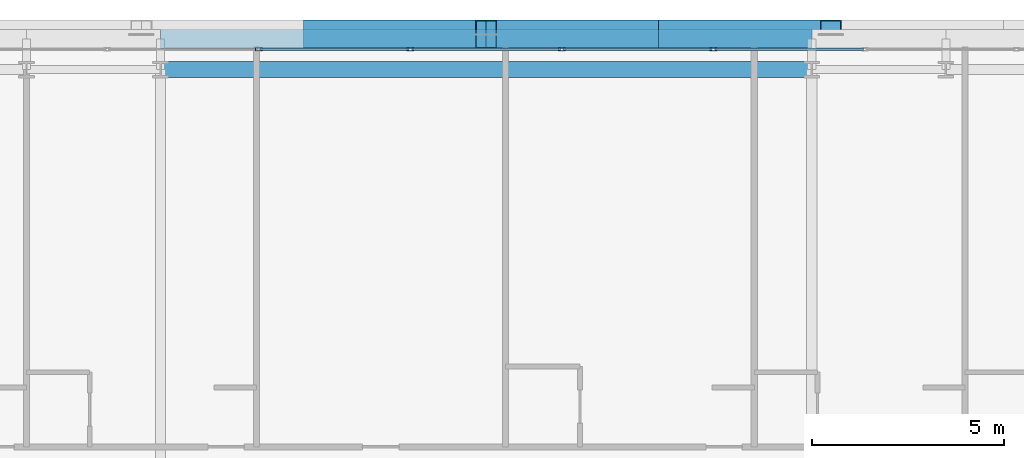
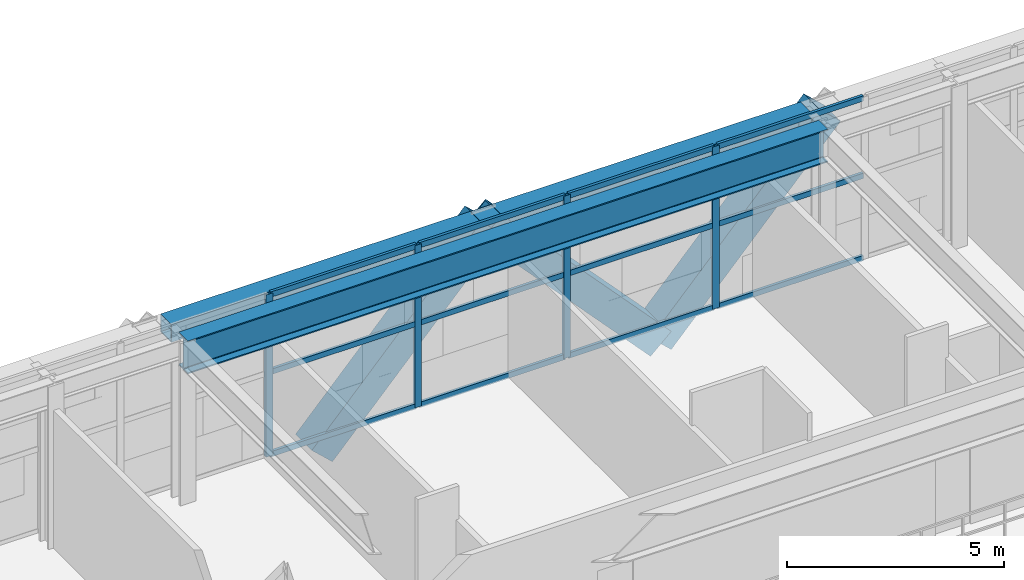
# One storey, part 21 of 38: 19 members, 2 beams, 1 element without a shape of its own.
"""IFC4 building model written with IfcOpenShell, lengths in metres."""

import ifcopenshell
import ifcopenshell.guid

model = None  # the IFC model being written
_history = None  # IfcOwnerHistory: only IFC2X3 demands one
_inside = {}  # id of a spatial element -> (the spatial element, [elements in it])
_under = {}  # id of a project, library or spatial element -> (it, [spatial elements below it])
_declared = {}  # id of a project -> (the project, [libraries it declares])
_typed = {}  # id of a type object -> (the type object, [elements of that type])
_made_of = {}  # id of a material, layer set ... -> (it, [elements and type objects made of it])


def new_model(schema):
    """Start an empty IFC model of exactly this schema.

    Asked for "IFC4X3", IfcOpenShell would pick the latest addendum, in which some entities
    have other attributes; the version numbers below select the first issue.
    IFC2X3 requires an IfcOwnerHistory on every rooted entity: one is made here for all.
    """
    global model, _history
    if schema == "IFC4X3":
        model = ifcopenshell.file(schema_version=(4, 3, 0, 0))
    else:
        model = ifcopenshell.file(schema=schema)
    _inside.clear()
    _under.clear()
    _declared.clear()
    _typed.clear()
    _made_of.clear()
    _history = None
    if model.schema == "IFC2X3":
        org = make("IfcOrganization", Name="unknown")
        user = make(
            "IfcPersonAndOrganization",
            ThePerson=make("IfcPerson", FamilyName="unknown"),
            TheOrganization=org,
        )
        app = make(
            "IfcApplication",
            ApplicationDeveloper=org,
            Version="unknown",
            ApplicationFullName="unknown",
            ApplicationIdentifier="unknown",
        )
        _history = make(
            "IfcOwnerHistory",
            OwningUser=user,
            OwningApplication=app,
            ChangeAction="ADDED",
            CreationDate=0,
        )
    return model


def make(cls, **values):
    """One entity of the class cls with the attributes given. An attribute that is None is left unset."""
    return model.create_entity(
        cls, **{name: value for name, value in values.items() if value is not None}
    )


def rooted(cls, **values):
    """An entity with a GlobalId (a new one), such as an element, a storey or a relation."""
    return make(cls, GlobalId=ifcopenshell.guid.new(), OwnerHistory=_history, **values)


def si_unit(unit_type, name, prefix=None):
    """IfcSIUnit, for example si_unit("LENGTHUNIT", "METRE", prefix="MILLI")."""
    return make("IfcSIUnit", UnitType=unit_type, Prefix=prefix, Name=name)


def assignment(units):
    """IfcUnitAssignment: the units of a project."""
    return None if units is None else make("IfcUnitAssignment", Units=units)


def point(xyz):
    """IfcCartesianPoint."""
    return None if xyz is None else make("IfcCartesianPoint", Coordinates=xyz)


def direction(xyz):
    """IfcDirection."""
    return None if xyz is None else make("IfcDirection", DirectionRatios=xyz)


def frame(location, z_axis=None, x_axis=None):
    """IfcAxis2Placement3D, a coordinate frame: its origin and axes. An axis left out is left unset."""
    return make(
        "IfcAxis2Placement3D",
        Location=point(location),
        Axis=direction(z_axis),
        RefDirection=direction(x_axis),
    )


def frame_2d(location, x_axis=None):
    """IfcAxis2Placement2D, a coordinate frame in the plane: its origin and x axis."""
    return make(
        "IfcAxis2Placement2D", Location=point(location), RefDirection=direction(x_axis)
    )


def origin():
    """The frame at (0, 0, 0) with its axes left unset."""
    return frame((0.0, 0.0, 0.0))


def origin_2d():
    """The frame at (0, 0) in the plane with its x axis left unset."""
    return frame_2d((0.0, 0.0))


def place(relative_to, where):
    """IfcLocalPlacement: puts the frame where relative to a parent placement (None: the world)."""
    return make(
        "IfcLocalPlacement", PlacementRelTo=relative_to, RelativePlacement=where
    )


def context(
    kind, dimensions, precision=None, world=None, true_north=None, identifier=None
):
    """IfcGeometricRepresentationContext, for example the 3D "Model" context."""
    return make(
        "IfcGeometricRepresentationContext",
        ContextIdentifier=identifier,
        ContextType=kind,
        CoordinateSpaceDimension=dimensions,
        Precision=precision,
        WorldCoordinateSystem=world,
        TrueNorth=true_north,
    )


def subcontext(parent, identifier, kind, view, scale=None):
    """IfcGeometricRepresentationSubContext, for example "Body" below "Model"."""
    return make(
        "IfcGeometricRepresentationSubContext",
        ContextIdentifier=identifier,
        ContextType=kind,
        ParentContext=parent,
        TargetScale=scale,
        TargetView=view,
    )


def project(units=None, contexts=None):
    """IfcProject with its units and contexts."""
    return rooted(
        "IfcProject",
        Name="project",
        RepresentationContexts=contexts,
        UnitsInContext=assignment(units),
    )


def spatial(cls, under=None, at=None, **own):
    """A site, building, storey or space (cls), placed at a placement, below another one or the project."""
    s = rooted(cls, ObjectPlacement=at, **own)
    if under is not None:
        _under.setdefault(under.id(), (under, []))[1].append(s)
    return s


def profile(cls, at=None, kind="AREA", **sizes):
    """A parametric profile (cls). Its sizes go by their IFC names, for example OverallWidth=200.0."""
    return make(cls, ProfileType=kind, Position=at, **sizes)


def hollow_rectangle(**sizes):
    """IfcRectangleHollowProfileDef."""
    return profile("IfcRectangleHollowProfileDef", **sizes)


def i_section(**sizes):
    """IfcIShapeProfileDef."""
    return profile("IfcIShapeProfileDef", **sizes)


def extrude(swept, where, along, depth):
    """IfcExtrudedAreaSolid: the profile swept, set in the frame where, extruded along a direction by depth."""
    return make(
        "IfcExtrudedAreaSolid",
        SweptArea=swept,
        Position=where,
        ExtrudedDirection=direction(along),
        Depth=depth,
    )


def shape(context_of_items, identifier, shape_type, items):
    """IfcShapeRepresentation: the items that make up one representation, for example the "Body"."""
    return make(
        "IfcShapeRepresentation",
        ContextOfItems=context_of_items,
        RepresentationIdentifier=identifier,
        RepresentationType=shape_type,
        Items=items,
    )


def source(mapping_origin, context_of_items, identifier, shape_type, items):
    """IfcRepresentationMap: a shape defined once, which mapped items show again and again."""
    return make(
        "IfcRepresentationMap",
        MappingOrigin=mapping_origin,
        MappedRepresentation=shape(context_of_items, identifier, shape_type, items),
    )


def transform(
    local_origin,
    x_axis=None,
    y_axis=None,
    z_axis=None,
    scale=None,
    scale2=None,
    scale3=None,
    uniform=True,
):
    """IfcCartesianTransformationOperator3D, or its non-uniform kind. x_axis, y_axis, z_axis: its Axis1, 2, 3."""
    if uniform:
        return make(
            "IfcCartesianTransformationOperator3D",
            Axis1=direction(x_axis),
            Axis2=direction(y_axis),
            LocalOrigin=point(local_origin),
            Scale=scale,
            Axis3=direction(z_axis),
        )
    return make(
        "IfcCartesianTransformationOperator3DnonUniform",
        Axis1=direction(x_axis),
        Axis2=direction(y_axis),
        LocalOrigin=point(local_origin),
        Scale=scale,
        Axis3=direction(z_axis),
        Scale2=scale2,
        Scale3=scale3,
    )


def mapped(mapping_source, mapping_target):
    """IfcMappedItem: shows the shape of a source again, moved by a transform."""
    return make(
        "IfcMappedItem", MappingSource=mapping_source, MappingTarget=mapping_target
    )


def material(Name=None, Category=None):
    """IfcMaterial."""
    return make("IfcMaterial", Name=Name, Category=Category)


def layer(
    of_material, thickness, ventilated=None, Name=None, Category=None, Priority=None
):
    """IfcMaterialLayer: one layer of a wall or slab, of a material (None: an air gap)."""
    return make(
        "IfcMaterialLayer",
        Material=of_material,
        LayerThickness=thickness,
        IsVentilated=ventilated,
        Name=Name,
        Category=Category,
        Priority=Priority,
    )


def layer_set(layers, Name=None):
    """IfcMaterialLayerSet."""
    return make("IfcMaterialLayerSet", MaterialLayers=layers, LayerSetName=Name)


def material_profile(
    of_material, cross_section, Name=None, Category=None, Priority=None
):
    """IfcMaterialProfile: a cross section and its material."""
    return make(
        "IfcMaterialProfile",
        Name=Name,
        Material=of_material,
        Profile=cross_section,
        Priority=Priority,
        Category=Category,
    )


def profile_set(profiles, Name=None, composite=None):
    """IfcMaterialProfileSet."""
    return make(
        "IfcMaterialProfileSet",
        Name=Name,
        MaterialProfiles=profiles,
        CompositeProfile=composite,
    )


def made_of(thing, what):
    """Note that an element or type object is made of a material, layer set ...; save() writes the relation."""
    if what is not None:
        _made_of.setdefault(what.id(), (what, []))[1].append(thing)
    return thing


def type_object(cls, material=None, **own):
    """A type object (cls), such as IfcWallType, which elements share."""
    return made_of(rooted(cls, **own), material)


def element(
    cls,
    number,
    at=None,
    inside=None,
    cuts=None,
    type_object=None,
    material=None,
    context=None,
    identifier="Body",
    shape_type=None,
    held_by="IfcProductDefinitionShape",
    body=None,
    shapes=None,
    **own,
):
    """One element of the class cls, such as IfcWall. Its Tag is "e" and its number.

    at: its placement. inside: the storey or other place that contains it. cuts: it is an
    opening in that element (IfcRelVoidsElement). A single representation is given by context,
    identifier, shape_type and body (its items); several are given by shapes. held_by: the class
    of the entity that holds the representations. save() writes the other relations.
    """
    e = rooted(cls, Tag="e%d" % number, ObjectPlacement=at, **own)
    if body is not None:
        shapes = [shape(context, identifier, shape_type, body)]
    if shapes is not None:
        e.Representation = make(held_by, Representations=shapes)
    if inside is not None:
        _inside.setdefault(inside.id(), (inside, []))[1].append(e)
    if cuts is not None:
        rooted(
            "IfcRelVoidsElement", RelatingBuildingElement=cuts, RelatedOpeningElement=e
        )
    if type_object is not None:
        _typed.setdefault(type_object.id(), (type_object, []))[1].append(e)
    return made_of(e, material)


def aggregate(whole, parts):
    """IfcRelAggregates: a whole, such as a stair, and the parts it consists of."""
    return rooted("IfcRelAggregates", RelatingObject=whole, RelatedObjects=parts)


def save(model, path):
    """Write the relations noted so far, then the file.

    IfcRelAggregates (storeys below a building ...), IfcRelContainedInSpatialStructure (elements
    in a storey), IfcRelDefinesByType, IfcRelAssociatesMaterial and IfcRelDeclares: one each for
    every whole, place, type object, material and project.
    """
    for whole, parts in _under.values():
        aggregate(whole, parts)
    for where, things in _inside.values():
        rooted(
            "IfcRelContainedInSpatialStructure",
            RelatedElements=things,
            RelatingStructure=where,
        )
    for kind, things in _typed.values():
        rooted("IfcRelDefinesByType", RelatedObjects=things, RelatingType=kind)
    for what, things in _made_of.values():
        rooted("IfcRelAssociatesMaterial", RelatedObjects=things, RelatingMaterial=what)
    for by, libraries in _declared.values():
        rooted("IfcRelDeclares", RelatingContext=by, RelatedDefinitions=libraries)
    model.write(path)


model = new_model("IFC4")

# Units and contexts
model_context = context("Model", 3, precision=1e-05, world=origin(), true_north=direction((0.0, 1.0)))
body_context = subcontext(model_context, "Body", "Model", "MODEL_VIEW")
ifc_project = project(units=[si_unit("LENGTHUNIT", "METRE"), si_unit("AREAUNIT", "SQUARE_METRE"), si_unit("VOLUMEUNIT", "CUBIC_METRE"), si_unit("PLANEANGLEUNIT", "RADIAN"), si_unit("MASSUNIT", "GRAM", prefix="KILO")], contexts=[model_context])

# Site, building, storey
site_placement = place(None, origin())
site = spatial("IfcSite", under=ifc_project, at=site_placement, CompositionType="ELEMENT")
building_placement = place(site_placement, origin())
building = spatial("IfcBuilding", under=site, at=building_placement, Name="Ocotamira Hotel", CompositionType="ELEMENT")
storey_placement = place(building_placement, frame((0.0, 0.0, 92.39990234375)))
storey = spatial("IfcBuildingStorey", under=building, at=storey_placement, Name="L22", CompositionType="ELEMENT", Elevation=92.39990234375)

# Beams
ifc_material_1 = material(Name="Steel ASTM A992 Grade 50", Category="steel")
ifc_material_profile_1 = material_profile(ifc_material_1, i_section(OverallWidth=0.41796875, OverallDepth=0.927001953125, WebThickness=0.019287109375, FlangeThickness=0.031982421875, FilletRadius=0.02392578125, at=origin_2d()), Name="W36X231")
ifc_profile_set_1 = profile_set([ifc_material_profile_1], Name="Steel ASTM A992 Grade 50")
beam_type_1 = type_object("IfcBeamType", Name="BM-GIRD-W36X231", PredefinedType="BEAM", material=ifc_profile_set_1)
shared_shape_1 = source(origin(), body_context, "Body", "SweptSolid", [
    extrude(i_section(OverallWidth=0.41796875, OverallDepth=0.927001953125, WebThickness=0.019287109375, FlangeThickness=0.031982421875, FilletRadius=0.02392578125, at=origin_2d()), origin(), (0.0, 0.0, 1.0), 17.0),
])
beam_1_placement = place(storey_placement, frame((23.5, 49.050048828125, 4.0966796875), z_axis=(1.0, 0.0, 0.0), x_axis=(0.0, 1.0, 0.0)))
element("IfcBeam", 1, at=beam_1_placement, inside=storey, type_object=beam_type_1, Name="L22 Girder Y49.05 X23.5-40.5", PredefinedType="BEAM", context=body_context, shape_type="MappedRepresentation", body=[
    mapped(shared_shape_1, transform((0.0, 0.0, 0.0), scale=1.0)),
])
ifc_material_2 = material(Name="Steel ASTM A500 Grade C", Category="steel")
ifc_material_profile_2 = material_profile(ifc_material_2, hollow_rectangle(XDim=0.5, YDim=0.5, WallThickness=0.02001953125, at=origin_2d()), Name="HSS500X500X20")
ifc_profile_set_2 = profile_set([ifc_material_profile_2], Name="Steel ASTM A500 Grade C")
beam_type_2 = type_object("IfcBeamType", Name="BM-SPAN-HSS500", PredefinedType="USERDEFINED", material=ifc_profile_set_2)
shared_shape_2 = source(origin(), body_context, "Body", "SweptSolid", [
    extrude(hollow_rectangle(XDim=0.5, YDim=0.5, WallThickness=0.02001953125, at=origin_2d()), origin(), (0.0, 0.0, 1.0), 17.0),
])
beam_2_placement = place(storey_placement, frame((23.5, 49.85009765625, 4.31005859375), z_axis=(1.0, 0.0, 0.0), x_axis=(0.0, 1.0, 0.0)))
element("IfcBeam", 2, at=beam_2_placement, inside=storey, type_object=beam_type_2, Name="L22 Edge Spandrel N X23.5-40.5", ObjectType="SPANDREL", PredefinedType="USERDEFINED", context=body_context, shape_type="MappedRepresentation", body=[
    mapped(shared_shape_2, transform((0.0, 0.0, 0.0), scale=1.0)),
])

# Members
ifc_material_3 = material(Name="Pale-metal coated steel ASTM A913 Grade 65", Category="steel")
ifc_material_profile_3 = material_profile(ifc_material_3, hollow_rectangle(XDim=0.75, YDim=0.75, WallThickness=0.028076171875, at=origin_2d()), Name="BOX750X750X28")
ifc_profile_set_3 = profile_set([ifc_material_profile_3], Name="Pale-metal coated steel ASTM A913 Grade 65")
member_type_1 = type_object("IfcMemberType", Name="MEM-EXO-BOX750", PredefinedType="BRACE", material=ifc_profile_set_3)
shared_shape_3 = source(origin(), body_context, "Body", "SweptSolid", [
    extrude(hollow_rectangle(XDim=0.75, YDim=0.75, WallThickness=0.028076171875, at=origin_2d()), origin(), (0.0, 0.0, 1.0), 6.608642578125),
])
for number, where, z_axis, x_axis, name in (
    (3, (27.5, 49.969970703125, -0.52978515625), (0.680927060572, 0.0, 0.732351239625), (0.0, 1.0, 0.0), "L22 Exoskeleton Diagrid N1.2"),
    (4, (36.5, 49.969970703125, -0.52978515625), (-0.680927060572, 0.0, 0.732351239625), (0.0, -1.0, 0.0), "L22 Exoskeleton Diagrid N2.1"),
    (5, (36.5, 49.969970703125, -0.52978515625), (0.680927060572, 0.0, 0.732351239625), (0.0, 1.0, 0.0), "L22 Exoskeleton Diagrid N2.2"),
):
    element("IfcMember", number, at=place(storey_placement, frame(where, z_axis=z_axis, x_axis=x_axis)), inside=storey, type_object=member_type_1, Name=name, PredefinedType="BRACE", context=body_context, shape_type="MappedRepresentation", body=[
        mapped(shared_shape_3, transform((0.0, 0.0, 0.0), scale=1.0)),
    ])

# Curtain wall, members
ifc_material_4 = material(Name="Anodised pale-metal aluminium and solar glass", Category="aluminium")
ifc_layer = layer(ifc_material_4, 0.239990234375)
ifc_layer_set = layer_set([ifc_layer], Name="Anodised pale-metal aluminium and solar glass")
curtain_wall_type = type_object("IfcCurtainWallType", Name="CW-SYS5-SKY", PredefinedType="NOTDEFINED", material=ifc_layer_set)
curtain_wall_placement = place(storey_placement, origin())
curtain_wall = element("IfcCurtainWall", 6, at=curtain_wall_placement, inside=storey, type_object=curtain_wall_type, Name="L22 Curtain Wall CW-5 CW-L22-N", PredefinedType="NOTDEFINED")
ifc_material_5 = material(Name="Anodised pale-metal aluminium 6063-T6", Category="aluminium")
ifc_material_profile_4 = material_profile(ifc_material_5, hollow_rectangle(XDim=0.074951171875, YDim=0.14990234375, WallThickness=0.006103515625, at=origin_2d()), Name="HSS150X75X6")
ifc_profile_set_4 = profile_set([ifc_material_profile_4], Name="Anodised pale-metal aluminium 6063-T6")
member_type_2 = type_object("IfcMemberType", Name="CWT-150X75", PredefinedType="USERDEFINED", material=ifc_profile_set_4)
shared_shape_4 = source(origin(), body_context, "Body", "SweptSolid", [
    extrude(hollow_rectangle(XDim=0.074951171875, YDim=0.14990234375, WallThickness=0.006103515625, at=origin_2d()), origin(), (0.0, 0.0, 1.0), 3.87548828125),
])
member_1_placement = place(storey_placement, frame((26.106689453125, 49.580078125, 0.03759765625), z_axis=(1.0, 0.0, 0.0), x_axis=(0.0, 1.0, 0.0)))
member_1 = element("IfcMember", 7, at=member_1_placement, type_object=member_type_2, Name="CW-5 transom 4.1", ObjectType="TRANSOM", PredefinedType="USERDEFINED", context=body_context, shape_type="MappedRepresentation", body=[
    mapped(shared_shape_4, transform((0.0, 0.0, 0.0), scale=1.0)),
])
member_2_placement = place(storey_placement, frame((26.106689453125, 49.580078125, 2.35009765625), z_axis=(1.0, 0.0, 0.0), x_axis=(0.0, 1.0, 0.0)))
member_2 = element("IfcMember", 8, at=member_2_placement, type_object=member_type_2, Name="CW-5 transom 4.2", ObjectType="TRANSOM", PredefinedType="USERDEFINED", context=body_context, shape_type="MappedRepresentation", body=[
    mapped(shared_shape_4, transform((0.0, 0.0, 0.0), scale=1.0)),
])
member_3_placement = place(storey_placement, frame((26.106689453125, 49.580078125, 4.522705078125), z_axis=(1.0, 0.0, 0.0), x_axis=(0.0, 1.0, 0.0)))
member_3 = element("IfcMember", 9, at=member_3_placement, type_object=member_type_2, Name="CW-5 transom 4.3", ObjectType="TRANSOM", PredefinedType="USERDEFINED", context=body_context, shape_type="MappedRepresentation", body=[
    mapped(shared_shape_4, transform((0.0, 0.0, 0.0), scale=1.0)),
])
member_4_placement = place(storey_placement, frame((30.062255859375, 49.580078125, 0.03759765625), z_axis=(1.0, 0.0, 0.0), x_axis=(0.0, 1.0, 0.0)))
member_4 = element("IfcMember", 10, at=member_4_placement, type_object=member_type_2, Name="CW-5 transom 5.1", ObjectType="TRANSOM", PredefinedType="USERDEFINED", context=body_context, shape_type="MappedRepresentation", body=[
    mapped(shared_shape_4, transform((0.0, 0.0, 0.0), scale=1.0)),
])
member_5_placement = place(storey_placement, frame((30.062255859375, 49.580078125, 2.35009765625), z_axis=(1.0, 0.0, 0.0), x_axis=(0.0, 1.0, 0.0)))
member_5 = element("IfcMember", 11, at=member_5_placement, type_object=member_type_2, Name="CW-5 transom 5.2", ObjectType="TRANSOM", PredefinedType="USERDEFINED", context=body_context, shape_type="MappedRepresentation", body=[
    mapped(shared_shape_4, transform((0.0, 0.0, 0.0), scale=1.0)),
])
member_6_placement = place(storey_placement, frame((30.062255859375, 49.580078125, 4.522705078125), z_axis=(1.0, 0.0, 0.0), x_axis=(0.0, 1.0, 0.0)))
member_6 = element("IfcMember", 12, at=member_6_placement, type_object=member_type_2, Name="CW-5 transom 5.3", ObjectType="TRANSOM", PredefinedType="USERDEFINED", context=body_context, shape_type="MappedRepresentation", body=[
    mapped(shared_shape_4, transform((0.0, 0.0, 0.0), scale=1.0)),
])
member_7_placement = place(storey_placement, frame((34.017822265625, 49.580078125, 0.03759765625), z_axis=(1.0, 0.0, 0.0), x_axis=(0.0, 1.0, 0.0)))
member_7 = element("IfcMember", 13, at=member_7_placement, type_object=member_type_2, Name="CW-5 transom 6.1", ObjectType="TRANSOM", PredefinedType="USERDEFINED", context=body_context, shape_type="MappedRepresentation", body=[
    mapped(shared_shape_4, transform((0.0, 0.0, 0.0), scale=1.0)),
])
member_8_placement = place(storey_placement, frame((34.017822265625, 49.580078125, 2.35009765625), z_axis=(1.0, 0.0, 0.0), x_axis=(0.0, 1.0, 0.0)))
member_8 = element("IfcMember", 14, at=member_8_placement, type_object=member_type_2, Name="CW-5 transom 6.2", ObjectType="TRANSOM", PredefinedType="USERDEFINED", context=body_context, shape_type="MappedRepresentation", body=[
    mapped(shared_shape_4, transform((0.0, 0.0, 0.0), scale=1.0)),
])
member_9_placement = place(storey_placement, frame((34.017822265625, 49.580078125, 4.522705078125), z_axis=(1.0, 0.0, 0.0), x_axis=(0.0, 1.0, 0.0)))
member_9 = element("IfcMember", 15, at=member_9_placement, type_object=member_type_2, Name="CW-5 transom 6.3", ObjectType="TRANSOM", PredefinedType="USERDEFINED", context=body_context, shape_type="MappedRepresentation", body=[
    mapped(shared_shape_4, transform((0.0, 0.0, 0.0), scale=1.0)),
])
member_10_placement = place(storey_placement, frame((37.973388671875, 49.580078125, 0.03759765625), z_axis=(1.0, 0.0, 0.0), x_axis=(0.0, 1.0, 0.0)))
member_10 = element("IfcMember", 16, at=member_10_placement, type_object=member_type_2, Name="CW-5 transom 7.1", ObjectType="TRANSOM", PredefinedType="USERDEFINED", context=body_context, shape_type="MappedRepresentation", body=[
    mapped(shared_shape_4, transform((0.0, 0.0, 0.0), scale=1.0)),
])
member_11_placement = place(storey_placement, frame((37.973388671875, 49.580078125, 2.35009765625), z_axis=(1.0, 0.0, 0.0), x_axis=(0.0, 1.0, 0.0)))
member_11 = element("IfcMember", 17, at=member_11_placement, type_object=member_type_2, Name="CW-5 transom 7.2", ObjectType="TRANSOM", PredefinedType="USERDEFINED", context=body_context, shape_type="MappedRepresentation", body=[
    mapped(shared_shape_4, transform((0.0, 0.0, 0.0), scale=1.0)),
])
member_12_placement = place(storey_placement, frame((37.973388671875, 49.580078125, 4.522705078125), z_axis=(1.0, 0.0, 0.0), x_axis=(0.0, 1.0, 0.0)))
member_12 = element("IfcMember", 18, at=member_12_placement, type_object=member_type_2, Name="CW-5 transom 7.3", ObjectType="TRANSOM", PredefinedType="USERDEFINED", context=body_context, shape_type="MappedRepresentation", body=[
    mapped(shared_shape_4, transform((0.0, 0.0, 0.0), scale=1.0)),
])
ifc_material_profile_5 = material_profile(ifc_material_5, hollow_rectangle(XDim=0.080078125, YDim=0.179931640625, WallThickness=0.006103515625, at=origin_2d()), Name="HSS180X80X6")
ifc_profile_set_5 = profile_set([ifc_material_profile_5], Name="Anodised pale-metal aluminium 6063-T6")
member_type_3 = type_object("IfcMemberType", Name="CWM-180X75", PredefinedType="MULLION", material=ifc_profile_set_5)
shared_shape_5 = source(origin(), body_context, "Body", "SweptSolid", [
    extrude(hollow_rectangle(XDim=0.080078125, YDim=0.179931640625, WallThickness=0.006103515625, at=origin_2d()), origin(), (0.0, 0.0, 1.0), 4.56005859375),
])
member_13_placement = place(storey_placement, frame((26.066650390625, 49.580078125, 0.0), z_axis=(0.0, 0.0, 1.0), x_axis=(0.0, 1.0, 0.0)))
member_13 = element("IfcMember", 19, at=member_13_placement, type_object=member_type_3, Name="CW-5 mullion 4", PredefinedType="MULLION", context=body_context, shape_type="MappedRepresentation", body=[
    mapped(shared_shape_5, transform((0.0, 0.0, 0.0), scale=1.0)),
])
member_14_placement = place(storey_placement, frame((30.022216796875, 49.580078125, 0.0), z_axis=(0.0, 0.0, 1.0), x_axis=(0.0, 1.0, 0.0)))
member_14 = element("IfcMember", 20, at=member_14_placement, type_object=member_type_3, Name="CW-5 mullion 5", PredefinedType="MULLION", context=body_context, shape_type="MappedRepresentation", body=[
    mapped(shared_shape_5, transform((0.0, 0.0, 0.0), scale=1.0)),
])
member_15_placement = place(storey_placement, frame((33.977783203125, 49.580078125, 0.0), z_axis=(0.0, 0.0, 1.0), x_axis=(0.0, 1.0, 0.0)))
member_15 = element("IfcMember", 21, at=member_15_placement, type_object=member_type_3, Name="CW-5 mullion 6", PredefinedType="MULLION", context=body_context, shape_type="MappedRepresentation", body=[
    mapped(shared_shape_5, transform((0.0, 0.0, 0.0), scale=1.0)),
])
member_16_placement = place(storey_placement, frame((37.933349609375, 49.580078125, 0.0), z_axis=(0.0, 0.0, 1.0), x_axis=(0.0, 1.0, 0.0)))
member_16 = element("IfcMember", 22, at=member_16_placement, type_object=member_type_3, Name="CW-5 mullion 7", PredefinedType="MULLION", context=body_context, shape_type="MappedRepresentation", body=[
    mapped(shared_shape_5, transform((0.0, 0.0, 0.0), scale=1.0)),
])
aggregate(curtain_wall, [member_13, member_14, member_15, member_16, member_1, member_2, member_3, member_4, member_5, member_6, member_7, member_8, member_9, member_10, member_11, member_12])

save(model, "model.ifc")
